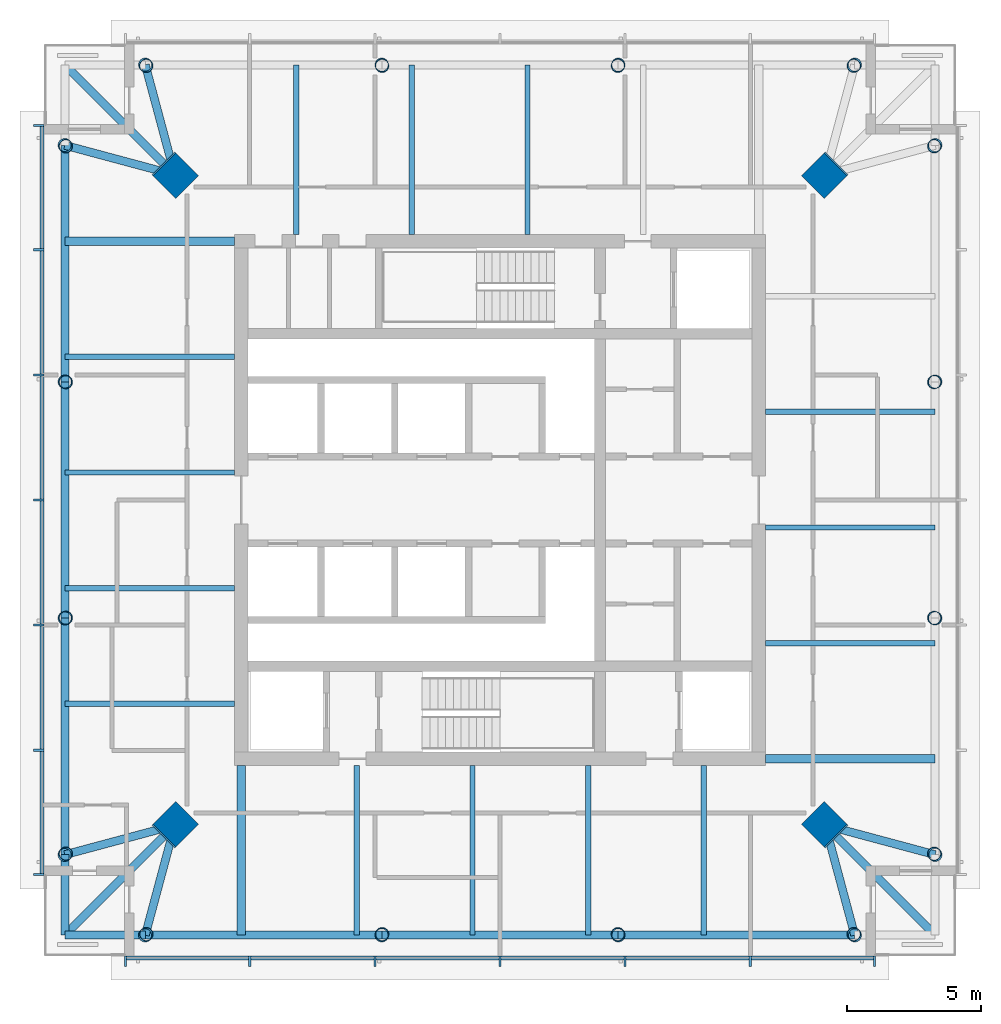
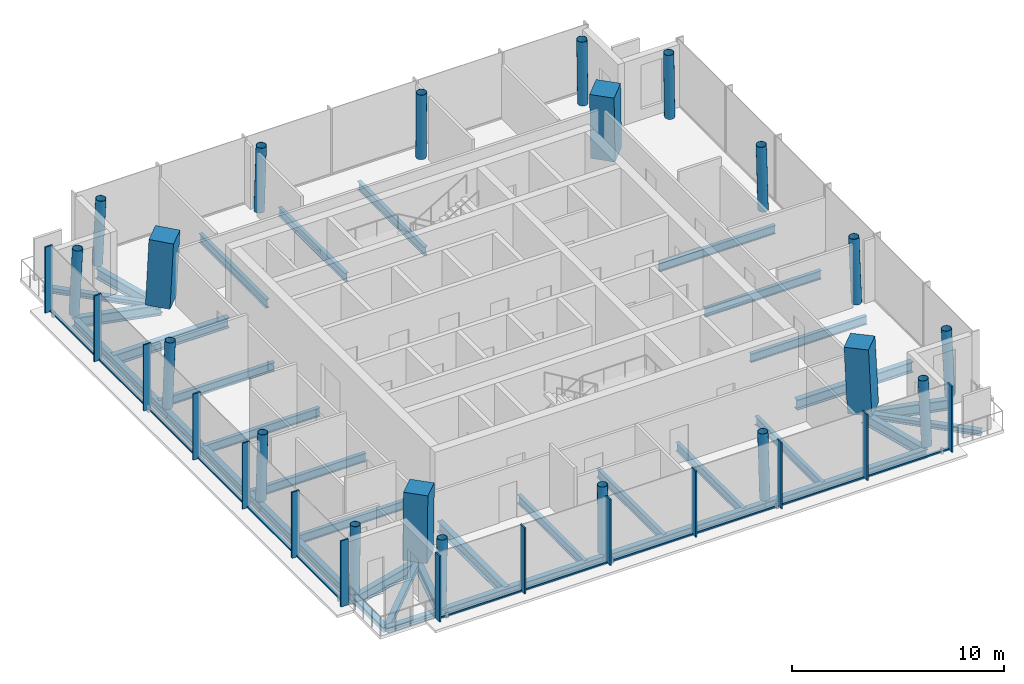
# One storey, part 1 of 9: 34 beams, 26 members, 20 columns, 2 elements without a shape of their own.
"""IFC4 building model written with IfcOpenShell, lengths in metres."""

from ifc_helpers import new_model, si_unit, direction, frame, origin, origin_2d, place, context, subcontext, project, spatial, rectangle, hollow_circle, i_section, extrude, material, material_profile, profile_set, type_object, element, aggregate, save


model = new_model("IFC4")

# Units and contexts
model_context = context("Model", 3, precision=1e-05, world=origin(), true_north=direction((0.0, 1.0)))
body_context = subcontext(model_context, "Body", "Model", "MODEL_VIEW")
ifc_project = project(units=[si_unit("LENGTHUNIT", "METRE"), si_unit("AREAUNIT", "SQUARE_METRE"), si_unit("VOLUMEUNIT", "CUBIC_METRE"), si_unit("PLANEANGLEUNIT", "RADIAN"), si_unit("MASSUNIT", "GRAM", prefix="KILO")], contexts=[model_context])

# Site, building, storey
site_placement = place(None, origin())
site = spatial("IfcSite", under=ifc_project, at=site_placement, CompositionType="ELEMENT")
building_placement = place(site_placement, origin())
building = spatial("IfcBuilding", under=site, at=building_placement, Name="Ostroluk Exchange", CompositionType="ELEMENT")
storey_placement = place(building_placement, frame((0.0, 0.0, 264.199951171875)))
storey = spatial("IfcBuildingStorey", under=building, at=storey_placement, Name="L68", CompositionType="ELEMENT", Elevation=264.199951171875)

# Columns
ifc_material_1 = material(Name="Concrete C50/60", Category="concrete")
ifc_material_profile_1 = material_profile(ifc_material_1, rectangle(XDim=1.199951171875, YDim=1.199951171875, at=origin_2d()), Name="RC 1200x1200")
ifc_profile_set_1 = profile_set([ifc_material_profile_1], Name="Concrete C50/60")
column_type_1 = type_object("IfcColumnType", Name="Mega column RC 1200x1200", PredefinedType="COLUMN", material=ifc_profile_set_1)
for number, where, z_axis, x_axis, name in (
    (1, (57.128662109375, 58.128662109375, 0.0), (-0.031962158256, -0.031962158256, 0.998977898093), (0.707106781187, -0.707106781187, 0.0), "T1 mega column NE"),
    (2, (32.871337890625, 58.128662109375, 0.0), (0.031962158256, -0.031962158256, 0.998977898093), (0.707106781187, 0.707106781187, 0.0), "T1 mega column NW"),
    (3, (32.871337890625, 33.871337890625, 0.0), (0.031962158256, 0.031962158256, 0.998977898093), (-0.707106781187, 0.707106781187, 0.0), "T1 mega column SW"),
    (4, (57.128662109375, 33.871337890625, 0.0), (-0.031962158256, 0.031962158256, 0.998977898093), (-0.707106781187, -0.707106781187, 0.0), "T1 mega column SE"),
):
    element("IfcColumn", number, at=place(storey_placement, frame(where, z_axis=z_axis, x_axis=x_axis)), inside=storey, type_object=column_type_1, Name=name, PredefinedType="COLUMN", context=body_context, shape_type="SweptSolid", body=[
        extrude(rectangle(XDim=1.199951171875, YDim=1.199951171875, at=origin_2d()), origin(), (0.0, 0.0, 1.0), 3.803955078125),
    ])
ifc_material_2 = material(Name="Steel S460", Category="steel")
ifc_material_profile_2 = material_profile(ifc_material_2, hollow_circle(Radius=0.25390625, WallThickness=0.02001953125, at=origin_2d()), Name="CHS 508x20")
ifc_profile_set_2 = profile_set([ifc_material_profile_2], Name="Steel S460")
column_type_2 = type_object("IfcColumnType", Name="Perimeter column CHS 508x20", PredefinedType="COLUMN", material=ifc_profile_set_2)
for number, where, z_axis, x_axis, name in (
    (5, (61.228515625, 32.771484375, 0.0), (-0.031898107953, 0.031898107953, 0.998981992539), (-0.707106781187, -0.707106781187, 0.0), "T1 east face column E0"),
    (6, (61.228515625, 59.228515625, 0.0), (-0.031898107953, -0.031898107953, 0.998981992539), (0.707106781187, -0.707106781187, 0.0), "T1 east face column E1"),
):
    element("IfcColumn", number, at=place(storey_placement, frame(where, z_axis=z_axis, x_axis=x_axis)), inside=storey, type_object=column_type_2, Name=name, PredefinedType="COLUMN", context=body_context, shape_type="SweptSolid", body=[
        extrude(hollow_circle(Radius=0.25390625, WallThickness=0.02001953125, at=origin_2d()), origin(), (0.0, 0.0, 1.0), 3.803955078125),
    ])
for number, where, z_axis, x_axis, name in (
    (7, (61.228515625, 41.590576171875, 0.0), (-0.031912557129, 0.010594712125, 0.999434510497), (-0.315081783451, -0.949064523485, 0.0), "T1 east face column I1"),
    (8, (61.228515625, 50.409423828125, 0.0), (-0.031912557129, -0.010594712125, 0.999434510497), (0.315081783451, -0.949064523485, 0.0), "T1 east face column I2"),
):
    element("IfcColumn", number, at=place(storey_placement, frame(where, z_axis=z_axis, x_axis=x_axis)), inside=storey, type_object=column_type_2, Name=name, PredefinedType="COLUMN", context=body_context, shape_type="SweptSolid", body=[
        extrude(hollow_circle(Radius=0.25390625, WallThickness=0.02001953125, at=origin_2d()), origin(), (0.0, 0.0, 1.0), 3.80224609375),
    ])
for number, where, z_axis, x_axis, name in (
    (9, (58.228515625, 62.228515625, 0.0), (-0.031898107953, -0.031898107953, 0.998981992539), (0.707106781187, -0.707106781187, 0.0), "T1 north face column E0"),
    (10, (31.771484375, 62.228515625, 0.0), (0.031898107953, -0.031898107953, 0.998981992539), (0.707106781187, 0.707106781187, 0.0), "T1 north face column E1"),
):
    element("IfcColumn", number, at=place(storey_placement, frame(where, z_axis=z_axis, x_axis=x_axis)), inside=storey, type_object=column_type_2, Name=name, PredefinedType="COLUMN", context=body_context, shape_type="SweptSolid", body=[
        extrude(hollow_circle(Radius=0.25390625, WallThickness=0.02001953125, at=origin_2d()), origin(), (0.0, 0.0, 1.0), 3.803955078125),
    ])
for number, where, z_axis, x_axis, name in (
    (11, (49.409423828125, 62.228515625, 0.0), (-0.010594712125, -0.031912557129, 0.999434510497), (0.949064523485, -0.315081783451, 0.0), "T1 north face column I1"),
    (12, (40.590576171875, 62.228515625, 0.0), (0.010594712125, -0.031912557129, 0.999434510497), (0.949064523485, 0.315081783451, 0.0), "T1 north face column I2"),
):
    element("IfcColumn", number, at=place(storey_placement, frame(where, z_axis=z_axis, x_axis=x_axis)), inside=storey, type_object=column_type_2, Name=name, PredefinedType="COLUMN", context=body_context, shape_type="SweptSolid", body=[
        extrude(hollow_circle(Radius=0.25390625, WallThickness=0.02001953125, at=origin_2d()), origin(), (0.0, 0.0, 1.0), 3.80224609375),
    ])
for number, where, z_axis, x_axis, name in (
    (13, (28.771484375, 59.228515625, 0.0), (0.031898107953, -0.031898107953, 0.998981992539), (0.707106781187, 0.707106781187, 0.0), "T1 west face column E0"),
    (14, (28.771484375, 32.771484375, 0.0), (0.031898107953, 0.031898107953, 0.998981992539), (-0.707106781187, 0.707106781187, 0.0), "T1 west face column E1"),
):
    element("IfcColumn", number, at=place(storey_placement, frame(where, z_axis=z_axis, x_axis=x_axis)), inside=storey, type_object=column_type_2, Name=name, PredefinedType="COLUMN", context=body_context, shape_type="SweptSolid", body=[
        extrude(hollow_circle(Radius=0.25390625, WallThickness=0.02001953125, at=origin_2d()), origin(), (0.0, 0.0, 1.0), 3.803955078125),
    ])
for number, where, z_axis, x_axis, name in (
    (15, (28.771484375, 50.409423828125, 0.0), (0.031912557129, -0.010594712125, 0.999434510497), (0.315081783451, 0.949064523485, 0.0), "T1 west face column I1"),
    (16, (28.771484375, 41.590576171875, 0.0), (0.031912557129, 0.010594712125, 0.999434510497), (-0.315081783451, 0.949064523485, 0.0), "T1 west face column I2"),
):
    element("IfcColumn", number, at=place(storey_placement, frame(where, z_axis=z_axis, x_axis=x_axis)), inside=storey, type_object=column_type_2, Name=name, PredefinedType="COLUMN", context=body_context, shape_type="SweptSolid", body=[
        extrude(hollow_circle(Radius=0.25390625, WallThickness=0.02001953125, at=origin_2d()), origin(), (0.0, 0.0, 1.0), 3.80224609375),
    ])
for number, where, z_axis, x_axis, name in (
    (17, (31.771484375, 29.771484375, 0.0), (0.031898107953, 0.031898107953, 0.998981992539), (-0.707106781187, 0.707106781187, 0.0), "T1 south face column E0"),
    (18, (58.228515625, 29.771484375, 0.0), (-0.031898107953, 0.031898107953, 0.998981992539), (-0.707106781187, -0.707106781187, 0.0), "T1 south face column E1"),
):
    element("IfcColumn", number, at=place(storey_placement, frame(where, z_axis=z_axis, x_axis=x_axis)), inside=storey, type_object=column_type_2, Name=name, PredefinedType="COLUMN", context=body_context, shape_type="SweptSolid", body=[
        extrude(hollow_circle(Radius=0.25390625, WallThickness=0.02001953125, at=origin_2d()), origin(), (0.0, 0.0, 1.0), 3.803955078125),
    ])
for number, where, z_axis, x_axis, name in (
    (19, (40.590576171875, 29.771484375, 0.0), (0.010594712125, 0.031912557129, 0.999434510497), (-0.949064523485, 0.315081783451, 0.0), "T1 south face column I1"),
    (20, (49.409423828125, 29.771484375, 0.0), (-0.010594712125, 0.031912557129, 0.999434510497), (-0.949064523485, -0.315081783451, 0.0), "T1 south face column I2"),
):
    element("IfcColumn", number, at=place(storey_placement, frame(where, z_axis=z_axis, x_axis=x_axis)), inside=storey, type_object=column_type_2, Name=name, PredefinedType="COLUMN", context=body_context, shape_type="SweptSolid", body=[
        extrude(hollow_circle(Radius=0.25390625, WallThickness=0.02001953125, at=origin_2d()), origin(), (0.0, 0.0, 1.0), 3.80224609375),
    ])

# Beams
ifc_material_3 = material(Name="Steel S355", Category="steel")
ifc_material_profile_3 = material_profile(ifc_material_3, i_section(OverallWidth=0.300048828125, OverallDepth=0.300048828125, WebThickness=0.010986328125, FlangeThickness=0.01904296875, FilletRadius=0.027099609375, at=origin_2d()), Name="HEB 300")
ifc_profile_set_3 = profile_set([ifc_material_profile_3], Name="Steel S355")
beam_type_1 = type_object("IfcBeamType", Name="Balcony beam HEB 300", PredefinedType="BEAM", material=ifc_profile_set_3)
beam_1_placement = place(storey_placement, frame((32.871337890625, 58.128662109375, -0.329833984375), z_axis=(-0.707106781187, 0.707106781187, 0.0), x_axis=(-0.707106781187, -0.707106781187, 0.0)))
element("IfcBeam", 21, at=beam_1_placement, inside=storey, type_object=beam_type_1, Name="T1 north balcony beam c", PredefinedType="BEAM", context=body_context, shape_type="SweptSolid", body=[
    extrude(i_section(OverallWidth=0.300048828125, OverallDepth=0.300048828125, WebThickness=0.010986328125, FlangeThickness=0.01904296875, FilletRadius=0.027099609375, at=origin_2d()), origin(), (0.0, 0.0, 1.0), 5.798095703125),
])
for number, where, z_axis, x_axis, name in (
    (22, (28.771484375, 32.771484375, -0.329833984375), (0.0, -1.0, 0.0), (1.0, 0.0, 0.0), "T1 west balcony beam a"),
    (23, (31.771484375, 29.771484375, -0.329833984375), (-1.0, 0.0, 0.0), (0.0, -1.0, 0.0), "T1 west balcony beam b"),
):
    element("IfcBeam", number, at=place(storey_placement, frame(where, z_axis=z_axis, x_axis=x_axis)), inside=storey, type_object=beam_type_1, Name=name, PredefinedType="BEAM", context=body_context, shape_type="SweptSolid", body=[
        extrude(i_section(OverallWidth=0.300048828125, OverallDepth=0.300048828125, WebThickness=0.010986328125, FlangeThickness=0.01904296875, FilletRadius=0.027099609375, at=origin_2d()), origin(), (0.0, 0.0, 1.0), 3.0),
    ])
for number, where, z_axis, x_axis, name in (
    (24, (32.871337890625, 33.871337890625, -0.329833984375), (-0.707106781187, -0.707106781187, 0.0), (0.707106781187, -0.707106781187, 0.0), "T1 west balcony beam c"),
    (25, (57.128662109375, 33.871337890625, -0.329833984375), (0.707106781187, -0.707106781187, 0.0), (0.707106781187, 0.707106781187, 0.0), "T1 south balcony beam c"),
):
    element("IfcBeam", number, at=place(storey_placement, frame(where, z_axis=z_axis, x_axis=x_axis)), inside=storey, type_object=beam_type_1, Name=name, PredefinedType="BEAM", context=body_context, shape_type="SweptSolid", body=[
        extrude(i_section(OverallWidth=0.300048828125, OverallDepth=0.300048828125, WebThickness=0.010986328125, FlangeThickness=0.01904296875, FilletRadius=0.027099609375, at=origin_2d()), origin(), (0.0, 0.0, 1.0), 5.798095703125),
    ])
ifc_material_4 = material(Name="Steel S355", Category="steel")
ifc_material_profile_4 = material_profile(ifc_material_4, i_section(OverallWidth=0.300048828125, OverallDepth=0.60009765625, WebThickness=0.015380859375, FlangeThickness=0.030029296875, FilletRadius=0.027099609375, at=origin_2d()), Name="HEB 600")
ifc_profile_set_4 = profile_set([ifc_material_profile_4], Name="Steel S355")
beam_type_2 = type_object("IfcBeamType", Name="Corner edge beam HEB 600", PredefinedType="SPANDREL", material=ifc_profile_set_4)
for number, where, z_axis, x_axis, name in (
    (26, (32.871337890625, 58.128662109375, -0.47998046875), (-0.259105011038, 0.965849156574, 0.0), (-0.965849156574, -0.259105011038, 0.0), "T1 north corner edge beam a"),
    (27, (32.871337890625, 58.128662109375, -0.47998046875), (-0.965849156574, 0.259105011038, 0.0), (-0.259105011038, -0.965849156574, 0.0), "T1 north corner edge beam b"),
    (28, (32.871337890625, 33.871337890625, -0.47998046875), (-0.965849156574, -0.259105011038, 0.0), (0.259105011038, -0.965849156574, 0.0), "T1 west corner edge beam a"),
    (29, (32.871337890625, 33.871337890625, -0.47998046875), (-0.259105011038, -0.965849156574, 0.0), (0.965849156574, -0.259105011038, 0.0), "T1 west corner edge beam b"),
    (30, (57.128662109375, 33.871337890625, -0.47998046875), (0.259105011038, -0.965849156574, 0.0), (0.965849156574, 0.259105011038, 0.0), "T1 south corner edge beam a"),
    (31, (57.128662109375, 33.871337890625, -0.47998046875), (0.965849156574, -0.259105011038, 0.0), (0.259105011038, 0.965849156574, 0.0), "T1 south corner edge beam b"),
):
    element("IfcBeam", number, at=place(storey_placement, frame(where, z_axis=z_axis, x_axis=x_axis)), inside=storey, type_object=beam_type_2, Name=name, PredefinedType="SPANDREL", context=body_context, shape_type="SweptSolid", body=[
        extrude(i_section(OverallWidth=0.300048828125, OverallDepth=0.60009765625, WebThickness=0.015380859375, FlangeThickness=0.030029296875, FilletRadius=0.027099609375, at=origin_2d()), origin(), (0.0, 0.0, 1.0), 4.244873046875),
    ])
ifc_material_5 = material(Name="Steel S355", Category="steel")
ifc_material_profile_5 = material_profile(ifc_material_5, i_section(OverallWidth=0.199951171875, OverallDepth=0.5, WebThickness=0.01025390625, FlangeThickness=0.01611328125, FilletRadius=0.02099609375, at=origin_2d()), Name="IPE 500")
ifc_profile_set_5 = profile_set([ifc_material_profile_5], Name="Steel S355")
beam_type_3 = type_object("IfcBeamType", Name="Floor beam IPE 500", PredefinedType="BEAM", material=ifc_profile_set_5)
for number, where, z_axis, x_axis, name in (
    (32, (54.89990234375, 40.6630859375, -0.429931640625), (1.0, 0.0, 0.0), (0.0, 1.0, 0.0), "T1 east floor beam 1"),
    (33, (54.89990234375, 44.97607421875, -0.429931640625), (1.0, 0.0, 0.0), (0.0, 1.0, 0.0), "T1 east floor beam 2"),
    (34, (54.89990234375, 49.289306640625, -0.429931640625), (1.0, 0.0, 0.0), (0.0, 1.0, 0.0), "T1 east floor beam 3"),
    (35, (46.02392578125, 55.89990234375, -0.429931640625), (0.0, 1.0, 0.0), (-1.0, 0.0, 0.0), "T1 north floor beam 2"),
    (36, (41.710693359375, 55.89990234375, -0.429931640625), (0.0, 1.0, 0.0), (-1.0, 0.0, 0.0), "T1 north floor beam 3"),
    (37, (37.397705078125, 55.89990234375, -0.429931640625), (0.0, 1.0, 0.0), (-1.0, 0.0, 0.0), "T1 north floor beam 4"),
    (38, (35.10009765625, 51.3369140625, -0.429931640625), (-1.0, 0.0, 0.0), (0.0, -1.0, 0.0), "T1 west floor beam 1"),
    (39, (35.10009765625, 47.02392578125, -0.429931640625), (-1.0, 0.0, 0.0), (0.0, -1.0, 0.0), "T1 west floor beam 2"),
    (40, (35.10009765625, 42.710693359375, -0.429931640625), (-1.0, 0.0, 0.0), (0.0, -1.0, 0.0), "T1 west floor beam 3"),
    (41, (35.10009765625, 38.397705078125, -0.429931640625), (-1.0, 0.0, 0.0), (0.0, -1.0, 0.0), "T1 west floor beam 4"),
    (42, (39.6630859375, 36.10009765625, -0.429931640625), (0.0, -1.0, 0.0), (1.0, 0.0, 0.0), "T1 south floor beam 1"),
    (43, (43.97607421875, 36.10009765625, -0.429931640625), (0.0, -1.0, 0.0), (1.0, 0.0, 0.0), "T1 south floor beam 2"),
    (44, (48.289306640625, 36.10009765625, -0.429931640625), (0.0, -1.0, 0.0), (1.0, 0.0, 0.0), "T1 south floor beam 3"),
    (45, (52.602294921875, 36.10009765625, -0.429931640625), (0.0, -1.0, 0.0), (1.0, 0.0, 0.0), "T1 south floor beam 4"),
):
    element("IfcBeam", number, at=place(storey_placement, frame(where, z_axis=z_axis, x_axis=x_axis)), inside=storey, type_object=beam_type_3, Name=name, PredefinedType="BEAM", context=body_context, shape_type="SweptSolid", body=[
        extrude(i_section(OverallWidth=0.199951171875, OverallDepth=0.5, WebThickness=0.01025390625, FlangeThickness=0.01611328125, FilletRadius=0.02099609375, at=origin_2d()), origin(), (0.0, 0.0, 1.0), 6.32861328125),
    ])
ifc_material_6 = material(Name="Steel S355", Category="steel")
ifc_material_profile_6 = material_profile(ifc_material_6, i_section(OverallWidth=0.300048828125, OverallDepth=0.60009765625, WebThickness=0.015380859375, FlangeThickness=0.030029296875, FilletRadius=0.027099609375, at=origin_2d()), Name="HEB 600")
ifc_profile_set_6 = profile_set([ifc_material_profile_6], Name="Steel S355")
beam_type_4 = type_object("IfcBeamType", Name="Girder HEB 600", PredefinedType="BEAM", material=ifc_profile_set_6)
for number, where, z_axis, x_axis, name in (
    (46, (35.10009765625, 55.64990234375, -0.47998046875), (-1.0, 0.0, 0.0), (0.0, -1.0, 0.0), "T1 north girder"),
    (47, (35.35009765625, 36.10009765625, -0.47998046875), (0.0, -1.0, 0.0), (1.0, 0.0, 0.0), "T1 west girder"),
    (48, (54.89990234375, 36.35009765625, -0.47998046875), (1.0, 0.0, 0.0), (0.0, 1.0, 0.0), "T1 south girder"),
):
    element("IfcBeam", number, at=place(storey_placement, frame(where, z_axis=z_axis, x_axis=x_axis)), inside=storey, type_object=beam_type_4, Name=name, PredefinedType="BEAM", context=body_context, shape_type="SweptSolid", body=[
        extrude(i_section(OverallWidth=0.300048828125, OverallDepth=0.60009765625, WebThickness=0.015380859375, FlangeThickness=0.030029296875, FilletRadius=0.027099609375, at=origin_2d()), origin(), (0.0, 0.0, 1.0), 6.32861328125),
    ])
ifc_material_7 = material(Name="Steel S355", Category="steel")
ifc_material_profile_7 = material_profile(ifc_material_7, i_section(OverallWidth=0.300048828125, OverallDepth=0.5, WebThickness=0.014404296875, FlangeThickness=0.028076171875, FilletRadius=0.027099609375, at=origin_2d()), Name="HEB 500")
ifc_profile_set_7 = profile_set([ifc_material_profile_7], Name="Steel S355")
beam_type_5 = type_object("IfcBeamType", Name="Moment-connected edge beam HEB 500", PredefinedType="SPANDREL", material=ifc_profile_set_7)
beam_2_placement = place(storey_placement, frame((28.771484375, 59.228515625, -0.429931640625), z_axis=(0.0, -1.0, 0.0), x_axis=(1.0, 0.0, 0.0)))
element("IfcBeam", 49, at=beam_2_placement, inside=storey, type_object=beam_type_5, Name="T1 west edge beam 1", PredefinedType="SPANDREL", context=body_context, shape_type="SweptSolid", body=[
    extrude(i_section(OverallWidth=0.300048828125, OverallDepth=0.5, WebThickness=0.014404296875, FlangeThickness=0.028076171875, FilletRadius=0.027099609375, at=origin_2d()), origin(), (0.0, 0.0, 1.0), 8.819091796875),
])
beam_3_placement = place(storey_placement, frame((28.771484375, 50.409423828125, -0.429931640625), z_axis=(0.0, -1.0, 0.0), x_axis=(1.0, 0.0, 0.0)))
element("IfcBeam", 50, at=beam_3_placement, inside=storey, type_object=beam_type_5, Name="T1 west edge beam 2", PredefinedType="SPANDREL", context=body_context, shape_type="SweptSolid", body=[
    extrude(i_section(OverallWidth=0.300048828125, OverallDepth=0.5, WebThickness=0.014404296875, FlangeThickness=0.028076171875, FilletRadius=0.027099609375, at=origin_2d()), origin(), (0.0, 0.0, 1.0), 8.81884765625),
])
for number, where, z_axis, x_axis, name in (
    (51, (28.771484375, 41.590576171875, -0.429931640625), (0.0, -1.0, 0.0), (1.0, 0.0, 0.0), "T1 west edge beam 3"),
    (52, (31.771484375, 29.771484375, -0.429931640625), (1.0, 0.0, 0.0), (0.0, 1.0, 0.0), "T1 south edge beam 1"),
):
    element("IfcBeam", number, at=place(storey_placement, frame(where, z_axis=z_axis, x_axis=x_axis)), inside=storey, type_object=beam_type_5, Name=name, PredefinedType="SPANDREL", context=body_context, shape_type="SweptSolid", body=[
        extrude(i_section(OverallWidth=0.300048828125, OverallDepth=0.5, WebThickness=0.014404296875, FlangeThickness=0.028076171875, FilletRadius=0.027099609375, at=origin_2d()), origin(), (0.0, 0.0, 1.0), 8.819091796875),
    ])
beam_4_placement = place(storey_placement, frame((40.590576171875, 29.771484375, -0.429931640625), z_axis=(1.0, 0.0, 0.0), x_axis=(0.0, 1.0, 0.0)))
element("IfcBeam", 53, at=beam_4_placement, inside=storey, type_object=beam_type_5, Name="T1 south edge beam 2", PredefinedType="SPANDREL", context=body_context, shape_type="SweptSolid", body=[
    extrude(i_section(OverallWidth=0.300048828125, OverallDepth=0.5, WebThickness=0.014404296875, FlangeThickness=0.028076171875, FilletRadius=0.027099609375, at=origin_2d()), origin(), (0.0, 0.0, 1.0), 8.81884765625),
])
beam_5_placement = place(storey_placement, frame((49.409423828125, 29.771484375, -0.429931640625), z_axis=(1.0, 0.0, 0.0), x_axis=(0.0, 1.0, 0.0)))
element("IfcBeam", 54, at=beam_5_placement, inside=storey, type_object=beam_type_5, Name="T1 south edge beam 3", PredefinedType="SPANDREL", context=body_context, shape_type="SweptSolid", body=[
    extrude(i_section(OverallWidth=0.300048828125, OverallDepth=0.5, WebThickness=0.014404296875, FlangeThickness=0.028076171875, FilletRadius=0.027099609375, at=origin_2d()), origin(), (0.0, 0.0, 1.0), 8.819091796875),
])

# Curtain wall, members
ifc_material_8 = material(Name="Laminated clear glass", Category="glass")
curtain_wall_type = type_object("IfcCurtainWallType", Name="Office tower facade", PredefinedType="USERDEFINED", material=ifc_material_8)
curtain_wall_1_placement = place(storey_placement, origin())
curtain_wall_1 = element("IfcCurtainWall", 55, at=curtain_wall_1_placement, inside=storey, type_object=curtain_wall_type, Name="Office tower south facade L68", ObjectType="UNITISED CURTAIN WALL", PredefinedType="USERDEFINED")
ifc_material_9 = material(Name="Aluminium mullion", Category="aluminium")
ifc_material_profile_8 = material_profile(ifc_material_9, rectangle(XDim=0.14990234375, YDim=0.080078125, at=origin_2d()), Name="Sill transom 80 x 150")
ifc_profile_set_8 = profile_set([ifc_material_profile_8], Name="Aluminium mullion")
member_type_1 = type_object("IfcMemberType", Name="Sill transom 80 x 150", PredefinedType="USERDEFINED", material=ifc_profile_set_8)
member_1_placement = place(storey_placement, frame((31.080078125, 28.925048828125, 0.0400390625), z_axis=(1.0, 0.0, 0.0), x_axis=(0.0, 1.0, 0.0)))
member_1 = element("IfcMember", 56, at=member_1_placement, type_object=member_type_1, Name="CW-O1 transom 1.1", ObjectType="TRANSOM", PredefinedType="USERDEFINED", context=body_context, shape_type="SweptSolid", body=[
    extrude(rectangle(XDim=0.14990234375, YDim=0.080078125, at=origin_2d()), origin(), (0.0, 0.0, 1.0), 4.546630859375),
])
member_2_placement = place(storey_placement, frame((35.706787109375, 28.925048828125, 0.0400390625), z_axis=(1.0, 0.0, 0.0), x_axis=(0.0, 1.0, 0.0)))
member_2 = element("IfcMember", 57, at=member_2_placement, type_object=member_type_1, Name="CW-O1 transom 2.1", ObjectType="TRANSOM", PredefinedType="USERDEFINED", context=body_context, shape_type="SweptSolid", body=[
    extrude(rectangle(XDim=0.14990234375, YDim=0.080078125, at=origin_2d()), origin(), (0.0, 0.0, 1.0), 4.58642578125),
])
member_3_placement = place(storey_placement, frame((40.373291015625, 28.925048828125, 0.0400390625), z_axis=(1.0, 0.0, 0.0), x_axis=(0.0, 1.0, 0.0)))
member_3 = element("IfcMember", 58, at=member_3_placement, type_object=member_type_1, Name="CW-O1 transom 3.1", ObjectType="TRANSOM", PredefinedType="USERDEFINED", context=body_context, shape_type="SweptSolid", body=[
    extrude(rectangle(XDim=0.14990234375, YDim=0.080078125, at=origin_2d()), origin(), (0.0, 0.0, 1.0), 4.586669921875),
])
member_4_placement = place(storey_placement, frame((45.0400390625, 28.925048828125, 0.0400390625), z_axis=(1.0, 0.0, 0.0), x_axis=(0.0, 1.0, 0.0)))
member_4 = element("IfcMember", 59, at=member_4_placement, type_object=member_type_1, Name="CW-O1 transom 4.1", ObjectType="TRANSOM", PredefinedType="USERDEFINED", context=body_context, shape_type="SweptSolid", body=[
    extrude(rectangle(XDim=0.14990234375, YDim=0.080078125, at=origin_2d()), origin(), (0.0, 0.0, 1.0), 4.586669921875),
])
member_5_placement = place(storey_placement, frame((49.706787109375, 28.925048828125, 0.0400390625), z_axis=(1.0, 0.0, 0.0), x_axis=(0.0, 1.0, 0.0)))
member_5 = element("IfcMember", 60, at=member_5_placement, type_object=member_type_1, Name="CW-O1 transom 5.1", ObjectType="TRANSOM", PredefinedType="USERDEFINED", context=body_context, shape_type="SweptSolid", body=[
    extrude(rectangle(XDim=0.14990234375, YDim=0.080078125, at=origin_2d()), origin(), (0.0, 0.0, 1.0), 4.58642578125),
])
member_6_placement = place(storey_placement, frame((54.373291015625, 28.925048828125, 0.0400390625), z_axis=(1.0, 0.0, 0.0), x_axis=(0.0, 1.0, 0.0)))
member_6 = element("IfcMember", 61, at=member_6_placement, type_object=member_type_1, Name="CW-O1 transom 6.1", ObjectType="TRANSOM", PredefinedType="USERDEFINED", context=body_context, shape_type="SweptSolid", body=[
    extrude(rectangle(XDim=0.14990234375, YDim=0.080078125, at=origin_2d()), origin(), (0.0, 0.0, 1.0), 4.546630859375),
])

curtain_wall_2_placement = place(storey_placement, origin())
curtain_wall_2 = element("IfcCurtainWall", 62, at=curtain_wall_2_placement, inside=storey, type_object=curtain_wall_type, Name="Office tower west facade L68", ObjectType="UNITISED CURTAIN WALL", PredefinedType="USERDEFINED")
member_7_placement = place(storey_placement, frame((27.925048828125, 59.919921875, 0.0400390625), z_axis=(0.0, -1.0, 0.0), x_axis=(1.0, 0.0, 0.0)))
member_7 = element("IfcMember", 63, at=member_7_placement, type_object=member_type_1, Name="CW-O1 transom 1.1", ObjectType="TRANSOM", PredefinedType="USERDEFINED", context=body_context, shape_type="SweptSolid", body=[
    extrude(rectangle(XDim=0.14990234375, YDim=0.080078125, at=origin_2d()), origin(), (0.0, 0.0, 1.0), 4.546630859375),
])
member_8_placement = place(storey_placement, frame((27.925048828125, 55.293212890625, 0.0400390625), z_axis=(0.0, -1.0, 0.0), x_axis=(1.0, 0.0, 0.0)))
member_8 = element("IfcMember", 64, at=member_8_placement, type_object=member_type_1, Name="CW-O1 transom 2.1", ObjectType="TRANSOM", PredefinedType="USERDEFINED", context=body_context, shape_type="SweptSolid", body=[
    extrude(rectangle(XDim=0.14990234375, YDim=0.080078125, at=origin_2d()), origin(), (0.0, 0.0, 1.0), 4.58642578125),
])
member_9_placement = place(storey_placement, frame((27.925048828125, 50.626708984375, 0.0400390625), z_axis=(0.0, -1.0, 0.0), x_axis=(1.0, 0.0, 0.0)))
member_9 = element("IfcMember", 65, at=member_9_placement, type_object=member_type_1, Name="CW-O1 transom 3.1", ObjectType="TRANSOM", PredefinedType="USERDEFINED", context=body_context, shape_type="SweptSolid", body=[
    extrude(rectangle(XDim=0.14990234375, YDim=0.080078125, at=origin_2d()), origin(), (0.0, 0.0, 1.0), 4.586669921875),
])
member_10_placement = place(storey_placement, frame((27.925048828125, 45.9599609375, 0.0400390625), z_axis=(0.0, -1.0, 0.0), x_axis=(1.0, 0.0, 0.0)))
member_10 = element("IfcMember", 66, at=member_10_placement, type_object=member_type_1, Name="CW-O1 transom 4.1", ObjectType="TRANSOM", PredefinedType="USERDEFINED", context=body_context, shape_type="SweptSolid", body=[
    extrude(rectangle(XDim=0.14990234375, YDim=0.080078125, at=origin_2d()), origin(), (0.0, 0.0, 1.0), 4.586669921875),
])
member_11_placement = place(storey_placement, frame((27.925048828125, 41.293212890625, 0.0400390625), z_axis=(0.0, -1.0, 0.0), x_axis=(1.0, 0.0, 0.0)))
member_11 = element("IfcMember", 67, at=member_11_placement, type_object=member_type_1, Name="CW-O1 transom 5.1", ObjectType="TRANSOM", PredefinedType="USERDEFINED", context=body_context, shape_type="SweptSolid", body=[
    extrude(rectangle(XDim=0.14990234375, YDim=0.080078125, at=origin_2d()), origin(), (0.0, 0.0, 1.0), 4.58642578125),
])
member_12_placement = place(storey_placement, frame((27.925048828125, 36.626708984375, 0.0400390625), z_axis=(0.0, -1.0, 0.0), x_axis=(1.0, 0.0, 0.0)))
member_12 = element("IfcMember", 68, at=member_12_placement, type_object=member_type_1, Name="CW-O1 transom 6.1", ObjectType="TRANSOM", PredefinedType="USERDEFINED", context=body_context, shape_type="SweptSolid", body=[
    extrude(rectangle(XDim=0.14990234375, YDim=0.080078125, at=origin_2d()), origin(), (0.0, 0.0, 1.0), 4.546630859375),
])

# Member
ifc_material_10 = material(Name="Aluminium mullion with limestone facing", Category="masonry")
ifc_material_profile_9 = material_profile(ifc_material_10, rectangle(XDim=0.39990234375, YDim=0.080078125, at=origin_2d()), Name="Tracery mullion 80 x 400")
ifc_profile_set_9 = profile_set([ifc_material_profile_9], Name="Aluminium mullion with limestone facing")
member_type_2 = type_object("IfcMemberType", Name="Tracery mullion 80 x 400", PredefinedType="MULLION", material=ifc_profile_set_9)
member_13_placement = place(storey_placement, frame((31.0400390625, 28.800048828125, 0.0), z_axis=(0.0, 0.0, 1.0), x_axis=(0.0, 1.0, 0.0)))
member_13 = element("IfcMember", 69, at=member_13_placement, type_object=member_type_2, Name="CW-O1 mullion 1", PredefinedType="MULLION", context=body_context, shape_type="SweptSolid", body=[
    extrude(rectangle(XDim=0.39990234375, YDim=0.080078125, at=origin_2d()), origin(), (0.0, 0.0, 1.0), 3.800048828125),
])

member_14_placement = place(storey_placement, frame((35.666748046875, 28.800048828125, 0.0), z_axis=(0.0, 0.0, 1.0), x_axis=(0.0, 1.0, 0.0)))
member_14 = element("IfcMember", 70, at=member_14_placement, type_object=member_type_2, Name="CW-O1 mullion 2", PredefinedType="MULLION", context=body_context, shape_type="SweptSolid", body=[
    extrude(rectangle(XDim=0.39990234375, YDim=0.080078125, at=origin_2d()), origin(), (0.0, 0.0, 1.0), 3.800048828125),
])

member_15_placement = place(storey_placement, frame((40.333251953125, 28.800048828125, 0.0), z_axis=(0.0, 0.0, 1.0), x_axis=(0.0, 1.0, 0.0)))
member_15 = element("IfcMember", 71, at=member_15_placement, type_object=member_type_2, Name="CW-O1 mullion 3", PredefinedType="MULLION", context=body_context, shape_type="SweptSolid", body=[
    extrude(rectangle(XDim=0.39990234375, YDim=0.080078125, at=origin_2d()), origin(), (0.0, 0.0, 1.0), 3.800048828125),
])

member_16_placement = place(storey_placement, frame((45.0, 28.800048828125, 0.0), z_axis=(0.0, 0.0, 1.0), x_axis=(0.0, 1.0, 0.0)))
member_16 = element("IfcMember", 72, at=member_16_placement, type_object=member_type_2, Name="CW-O1 mullion 4", PredefinedType="MULLION", context=body_context, shape_type="SweptSolid", body=[
    extrude(rectangle(XDim=0.39990234375, YDim=0.080078125, at=origin_2d()), origin(), (0.0, 0.0, 1.0), 3.800048828125),
])

member_17_placement = place(storey_placement, frame((49.666748046875, 28.800048828125, 0.0), z_axis=(0.0, 0.0, 1.0), x_axis=(0.0, 1.0, 0.0)))
member_17 = element("IfcMember", 73, at=member_17_placement, type_object=member_type_2, Name="CW-O1 mullion 5", PredefinedType="MULLION", context=body_context, shape_type="SweptSolid", body=[
    extrude(rectangle(XDim=0.39990234375, YDim=0.080078125, at=origin_2d()), origin(), (0.0, 0.0, 1.0), 3.800048828125),
])

member_18_placement = place(storey_placement, frame((54.333251953125, 28.800048828125, 0.0), z_axis=(0.0, 0.0, 1.0), x_axis=(0.0, 1.0, 0.0)))
member_18 = element("IfcMember", 74, at=member_18_placement, type_object=member_type_2, Name="CW-O1 mullion 6", PredefinedType="MULLION", context=body_context, shape_type="SweptSolid", body=[
    extrude(rectangle(XDim=0.39990234375, YDim=0.080078125, at=origin_2d()), origin(), (0.0, 0.0, 1.0), 3.800048828125),
])

member_19_placement = place(storey_placement, frame((58.9599609375, 28.800048828125, 0.0), z_axis=(0.0, 0.0, 1.0), x_axis=(0.0, 1.0, 0.0)))
member_19 = element("IfcMember", 75, at=member_19_placement, type_object=member_type_2, Name="CW-O1 mullion 7", PredefinedType="MULLION", context=body_context, shape_type="SweptSolid", body=[
    extrude(rectangle(XDim=0.39990234375, YDim=0.080078125, at=origin_2d()), origin(), (0.0, 0.0, 1.0), 3.800048828125),
])

aggregate(curtain_wall_1, [member_13, member_14, member_15, member_16, member_17, member_18, member_19, member_1, member_2, member_3, member_4, member_5, member_6])

member_20_placement = place(storey_placement, frame((27.800048828125, 59.9599609375, 0.0), z_axis=(0.0, 0.0, 1.0), x_axis=(1.0, 0.0, 0.0)))
member_20 = element("IfcMember", 76, at=member_20_placement, type_object=member_type_2, Name="CW-O1 mullion 1", PredefinedType="MULLION", context=body_context, shape_type="SweptSolid", body=[
    extrude(rectangle(XDim=0.39990234375, YDim=0.080078125, at=origin_2d()), origin(), (0.0, 0.0, 1.0), 3.800048828125),
])

member_21_placement = place(storey_placement, frame((27.800048828125, 55.333251953125, 0.0), z_axis=(0.0, 0.0, 1.0), x_axis=(1.0, 0.0, 0.0)))
member_21 = element("IfcMember", 77, at=member_21_placement, type_object=member_type_2, Name="CW-O1 mullion 2", PredefinedType="MULLION", context=body_context, shape_type="SweptSolid", body=[
    extrude(rectangle(XDim=0.39990234375, YDim=0.080078125, at=origin_2d()), origin(), (0.0, 0.0, 1.0), 3.800048828125),
])

member_22_placement = place(storey_placement, frame((27.800048828125, 50.666748046875, 0.0), z_axis=(0.0, 0.0, 1.0), x_axis=(1.0, 0.0, 0.0)))
member_22 = element("IfcMember", 78, at=member_22_placement, type_object=member_type_2, Name="CW-O1 mullion 3", PredefinedType="MULLION", context=body_context, shape_type="SweptSolid", body=[
    extrude(rectangle(XDim=0.39990234375, YDim=0.080078125, at=origin_2d()), origin(), (0.0, 0.0, 1.0), 3.800048828125),
])

member_23_placement = place(storey_placement, frame((27.800048828125, 46.0, 0.0), z_axis=(0.0, 0.0, 1.0), x_axis=(1.0, 0.0, 0.0)))
member_23 = element("IfcMember", 79, at=member_23_placement, type_object=member_type_2, Name="CW-O1 mullion 4", PredefinedType="MULLION", context=body_context, shape_type="SweptSolid", body=[
    extrude(rectangle(XDim=0.39990234375, YDim=0.080078125, at=origin_2d()), origin(), (0.0, 0.0, 1.0), 3.800048828125),
])

member_24_placement = place(storey_placement, frame((27.800048828125, 41.333251953125, 0.0), z_axis=(0.0, 0.0, 1.0), x_axis=(1.0, 0.0, 0.0)))
member_24 = element("IfcMember", 80, at=member_24_placement, type_object=member_type_2, Name="CW-O1 mullion 5", PredefinedType="MULLION", context=body_context, shape_type="SweptSolid", body=[
    extrude(rectangle(XDim=0.39990234375, YDim=0.080078125, at=origin_2d()), origin(), (0.0, 0.0, 1.0), 3.800048828125),
])

member_25_placement = place(storey_placement, frame((27.800048828125, 36.666748046875, 0.0), z_axis=(0.0, 0.0, 1.0), x_axis=(1.0, 0.0, 0.0)))
member_25 = element("IfcMember", 81, at=member_25_placement, type_object=member_type_2, Name="CW-O1 mullion 6", PredefinedType="MULLION", context=body_context, shape_type="SweptSolid", body=[
    extrude(rectangle(XDim=0.39990234375, YDim=0.080078125, at=origin_2d()), origin(), (0.0, 0.0, 1.0), 3.800048828125),
])

member_26_placement = place(storey_placement, frame((27.800048828125, 32.0400390625, 0.0), z_axis=(0.0, 0.0, 1.0), x_axis=(1.0, 0.0, 0.0)))
member_26 = element("IfcMember", 82, at=member_26_placement, type_object=member_type_2, Name="CW-O1 mullion 7", PredefinedType="MULLION", context=body_context, shape_type="SweptSolid", body=[
    extrude(rectangle(XDim=0.39990234375, YDim=0.080078125, at=origin_2d()), origin(), (0.0, 0.0, 1.0), 3.800048828125),
])

aggregate(curtain_wall_2, [member_20, member_21, member_22, member_23, member_24, member_25, member_26, member_7, member_8, member_9, member_10, member_11, member_12])

save(model, "model.ifc")
